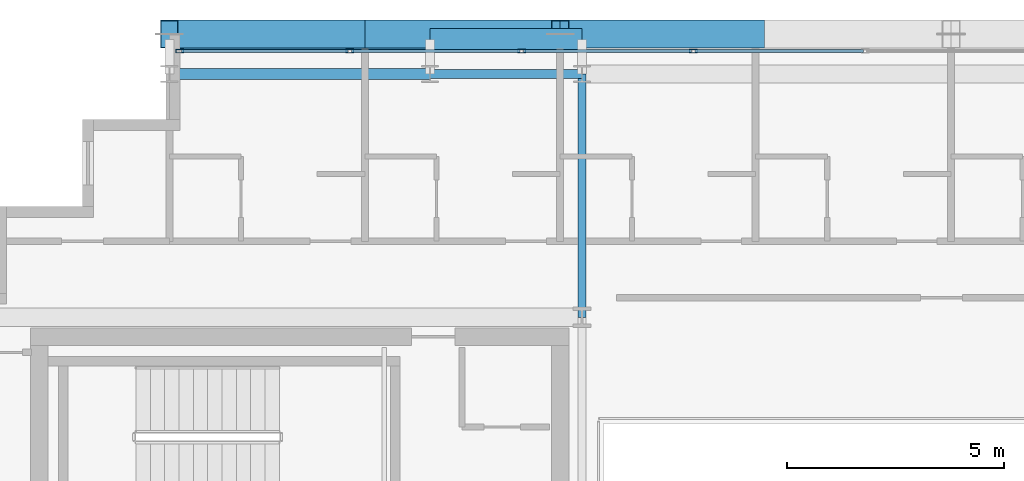
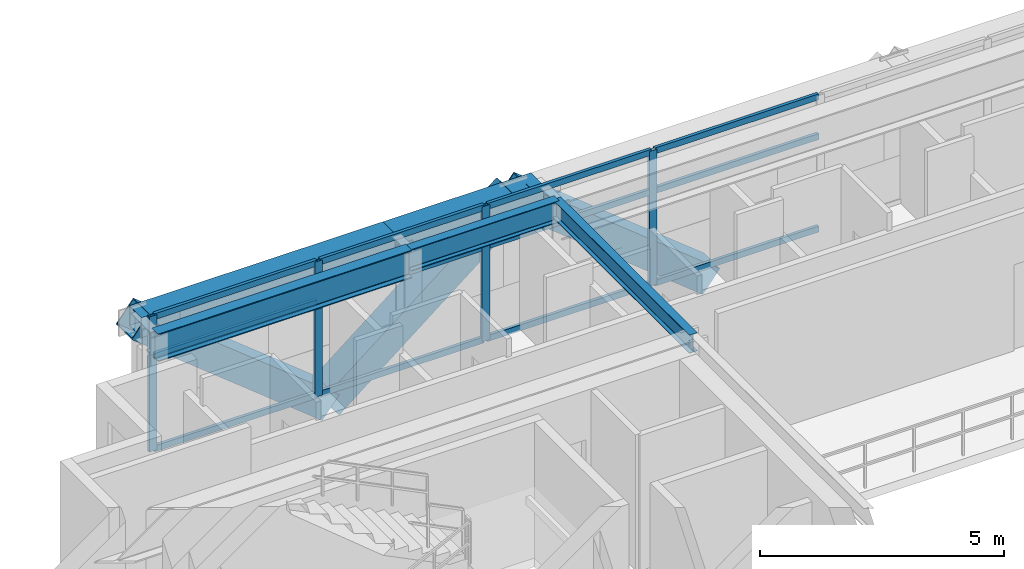
# One storey, part 13 of 28: 19 members, 5 beams, 1 element without a shape of its own.
"""IFC4 building model written with IfcOpenShell, lengths in metres."""

from ifc_helpers import new_model, si_unit, direction, frame, origin, origin_2d, place, context, subcontext, project, spatial, hollow_rectangle, i_section, extrude, source, transform, mapped, material, layer, layer_set, material_profile, profile_set, type_object, element, aggregate, save


model = new_model("IFC4")

# Units and contexts
model_context = context("Model", 3, precision=1e-05, world=origin(), true_north=direction((0.0, 1.0)))
body_context = subcontext(model_context, "Body", "Model", "MODEL_VIEW")
ifc_project = project(units=[si_unit("LENGTHUNIT", "METRE"), si_unit("AREAUNIT", "SQUARE_METRE"), si_unit("VOLUMEUNIT", "CUBIC_METRE"), si_unit("PLANEANGLEUNIT", "RADIAN"), si_unit("MASSUNIT", "GRAM", prefix="KILO")], contexts=[model_context])

# Site, building, storey
site_placement = place(None, origin())
site = spatial("IfcSite", under=ifc_project, at=site_placement, CompositionType="ELEMENT")
building_placement = place(site_placement, origin())
building = spatial("IfcBuilding", under=site, at=building_placement, Name="Ocotamira Hotel", CompositionType="ELEMENT")
storey_placement = place(building_placement, frame((0.0, 0.0, 240.0)))
storey = spatial("IfcBuildingStorey", under=building, at=storey_placement, Name="L60", CompositionType="ELEMENT", Elevation=240.0)

# Beams
ifc_material_1 = material(Name="Steel ASTM A992 Grade 50", Category="steel")
ifc_material_profile_1 = material_profile(ifc_material_1, i_section(OverallWidth=0.256103515625, OverallDepth=0.693115234375, WebThickness=0.014404296875, FlangeThickness=0.023681640625, FilletRadius=0.01611328125, at=origin_2d()), Name="W27X114")
ifc_profile_set_1 = profile_set([ifc_material_profile_1], Name="Steel ASTM A992 Grade 50")
beam_type_1 = type_object("IfcBeamType", Name="BM-PRIM-W27X114", PredefinedType="BEAM", material=ifc_profile_set_1)
shared_shape_1 = source(origin(), body_context, "Body", "SweptSolid", [
    extrude(i_section(OverallWidth=0.256103515625, OverallDepth=0.693115234375, WebThickness=0.014404296875, FlangeThickness=0.023681640625, FilletRadius=0.01611328125, at=origin_2d()), origin(), (0.0, 0.0, 1.0), 6.0),
])
beam_1_placement = place(storey_placement, frame((14.0, 43.050048828125, 3.033447265625), z_axis=(1.0, 0.0, 0.0), x_axis=(0.0, 1.0, 0.0)))
element("IfcBeam", 1, at=beam_1_placement, inside=storey, type_object=beam_type_1, Name="L60 Girder Y43.05 X14-20", PredefinedType="BEAM", context=body_context, shape_type="MappedRepresentation", body=[
    mapped(shared_shape_1, transform((0.0, 0.0, 0.0), scale=1.0)),
])
ifc_material_profile_2 = material_profile(ifc_material_1, i_section(OverallWidth=0.2099609375, OverallDepth=0.537109375, WebThickness=0.010986328125, FlangeThickness=0.017333984375, FilletRadius=0.012939453125, at=origin_2d()), Name="W21X68")
ifc_profile_set_2 = profile_set([ifc_material_profile_2], Name="Steel ASTM A992 Grade 50")
beam_type_2 = type_object("IfcBeamType", Name="BM-SEC-W21X68", PredefinedType="JOIST", material=ifc_profile_set_2)
shared_shape_2 = source(origin(), body_context, "Body", "SweptSolid", [
    extrude(i_section(OverallWidth=0.2099609375, OverallDepth=0.537109375, WebThickness=0.010986328125, FlangeThickness=0.017333984375, FilletRadius=0.012939453125, at=origin_2d()), origin(), (0.0, 0.0, 1.0), 3.5),
])
beam_2_placement = place(storey_placement, frame((20.0, 43.050048828125, 3.111572265625), z_axis=(1.0, 0.0, 0.0), x_axis=(0.0, 1.0, 0.0)))
element("IfcBeam", 2, at=beam_2_placement, inside=storey, type_object=beam_type_2, Name="L60 Girder Y43.05 X20-23.5", PredefinedType="JOIST", context=body_context, shape_type="MappedRepresentation", body=[
    mapped(shared_shape_2, transform((0.0, 0.0, 0.0), scale=1.0)),
])
ifc_material_2 = material(Name="Steel ASTM A500 Grade C", Category="steel")
ifc_material_profile_3 = material_profile(ifc_material_2, hollow_rectangle(XDim=0.5, YDim=0.5, WallThickness=0.02001953125, at=origin_2d()), Name="HSS500X500X20")
ifc_profile_set_3 = profile_set([ifc_material_profile_3], Name="Steel ASTM A500 Grade C")
beam_type_3 = type_object("IfcBeamType", Name="BM-SPAN-HSS500", PredefinedType="USERDEFINED", material=ifc_profile_set_3)
shared_shape_3 = source(origin(), body_context, "Body", "SweptSolid", [
    extrude(hollow_rectangle(XDim=0.5, YDim=0.5, WallThickness=0.02001953125, at=origin_2d()), origin(), (0.0, 0.0, 1.0), 6.0),
])
beam_3_placement = place(storey_placement, frame((14.0, 43.85009765625, 3.1298828125), z_axis=(1.0, 0.0, 0.0), x_axis=(0.0, 1.0, 0.0)))
element("IfcBeam", 3, at=beam_3_placement, inside=storey, type_object=beam_type_3, Name="L60 Edge Spandrel N X14-20", ObjectType="SPANDREL", PredefinedType="USERDEFINED", context=body_context, shape_type="MappedRepresentation", body=[
    mapped(shared_shape_3, transform((0.0, 0.0, 0.0), scale=1.0)),
])
shared_shape_4 = source(origin(), body_context, "Body", "SweptSolid", [
    extrude(hollow_rectangle(XDim=0.5, YDim=0.5, WallThickness=0.02001953125, at=origin_2d()), origin(), (0.0, 0.0, 1.0), 3.5),
])
beam_4_placement = place(storey_placement, frame((20.0, 43.85009765625, 3.1298828125), z_axis=(1.0, 0.0, 0.0), x_axis=(0.0, 1.0, 0.0)))
element("IfcBeam", 4, at=beam_4_placement, inside=storey, type_object=beam_type_3, Name="L60 Edge Spandrel N X20-23.5", ObjectType="SPANDREL", PredefinedType="USERDEFINED", context=body_context, shape_type="MappedRepresentation", body=[
    mapped(shared_shape_4, transform((0.0, 0.0, 0.0), scale=1.0)),
])
ifc_material_profile_4 = material_profile(ifc_material_1, i_section(OverallWidth=0.18994140625, OverallDepth=0.45703125, WebThickness=0.009033203125, FlangeThickness=0.014404296875, FilletRadius=0.010009765625, at=origin_2d()), Name="W18X50")
ifc_profile_set_4 = profile_set([ifc_material_profile_4], Name="Steel ASTM A992 Grade 50")
beam_type_4 = type_object("IfcBeamType", Name="BM-SEC-W18X50", PredefinedType="JOIST", material=ifc_profile_set_4)
shared_shape_5 = source(origin(), body_context, "Body", "SweptSolid", [
    extrude(i_section(OverallWidth=0.18994140625, OverallDepth=0.45703125, WebThickness=0.009033203125, FlangeThickness=0.014404296875, FilletRadius=0.010009765625, at=origin_2d()), origin(), (0.0, 0.0, 1.0), 5.60009765625),
])
beam_5_placement = place(storey_placement, frame((23.5, 37.449951171875, 3.151611328125), z_axis=(0.0, 1.0, 0.0), x_axis=(-1.0, 0.0, 0.0)))
element("IfcBeam", 5, at=beam_5_placement, inside=storey, type_object=beam_type_4, Name="L60 Beam X23.5 Y37.45-43.05", PredefinedType="JOIST", context=body_context, shape_type="MappedRepresentation", body=[
    mapped(shared_shape_5, transform((0.0, 0.0, 0.0), scale=1.0)),
])

# Members
ifc_material_3 = material(Name="Pale-metal coated steel ASTM A913 Grade 65", Category="steel")
ifc_material_profile_5 = material_profile(ifc_material_3, hollow_rectangle(XDim=0.64990234375, YDim=0.64990234375, WallThickness=0.02197265625, at=origin_2d()), Name="BOX650X650X22")
ifc_profile_set_5 = profile_set([ifc_material_profile_5], Name="Pale-metal coated steel ASTM A913 Grade 65")
member_type_1 = type_object("IfcMemberType", Name="MEM-EXO-BOX650", PredefinedType="BRACE", material=ifc_profile_set_5)
shared_shape_6 = source(origin(), body_context, "Body", "SweptSolid", [
    extrude(hollow_rectangle(XDim=0.64990234375, YDim=0.64990234375, WallThickness=0.02197265625, at=origin_2d()), origin(), (0.0, 0.0, 1.0), 5.7626953125),
])
for number, where, z_axis, x_axis, name in (
    (6, (18.5, 43.969970703125, -0.469970703125), (-0.780881208953, 0.0, 0.624679547852), (0.0, -1.0, 0.0), "L60 Exoskeleton Diagrid N0.1"),
    (7, (18.5, 43.969970703125, -0.469970703125), (0.780881208953, 0.0, 0.624679547852), (0.0, 1.0, 0.0), "L60 Exoskeleton Diagrid N0.2"),
    (8, (27.5, 43.969970703125, -0.469970703125), (-0.780881208953, 0.0, 0.624679547852), (0.0, -1.0, 0.0), "L60 Exoskeleton Diagrid N1.1"),
):
    element("IfcMember", number, at=place(storey_placement, frame(where, z_axis=z_axis, x_axis=x_axis)), inside=storey, type_object=member_type_1, Name=name, PredefinedType="BRACE", context=body_context, shape_type="MappedRepresentation", body=[
        mapped(shared_shape_6, transform((0.0, 0.0, 0.0), scale=1.0)),
    ])

# Curtain wall, members
ifc_material_4 = material(Name="Anodised pale-metal aluminium and solar glass", Category="aluminium")
ifc_layer = layer(ifc_material_4, 0.239990234375)
ifc_layer_set = layer_set([ifc_layer], Name="Anodised pale-metal aluminium and solar glass")
curtain_wall_type = type_object("IfcCurtainWallType", Name="CW-SYS5-SKY", PredefinedType="NOTDEFINED", material=ifc_layer_set)
curtain_wall_placement = place(storey_placement, origin())
curtain_wall = element("IfcCurtainWall", 9, at=curtain_wall_placement, inside=storey, type_object=curtain_wall_type, Name="L60 Curtain Wall CW-5 CW-L60-N", PredefinedType="NOTDEFINED")
ifc_material_5 = material(Name="Anodised pale-metal aluminium 6063-T6", Category="aluminium")
ifc_material_profile_6 = material_profile(ifc_material_5, hollow_rectangle(XDim=0.074951171875, YDim=0.14990234375, WallThickness=0.006103515625, at=origin_2d()), Name="HSS150X75X6")
ifc_profile_set_6 = profile_set([ifc_material_profile_6], Name="Anodised pale-metal aluminium 6063-T6")
member_type_2 = type_object("IfcMemberType", Name="CWT-150X75", PredefinedType="USERDEFINED", material=ifc_profile_set_6)
shared_shape_7 = source(origin(), body_context, "Body", "SweptSolid", [
    extrude(hollow_rectangle(XDim=0.074951171875, YDim=0.14990234375, WallThickness=0.006103515625, at=origin_2d()), origin(), (0.0, 0.0, 1.0), 3.83544921875),
])
member_1_placement = place(storey_placement, frame((14.280029296875, 43.580078125, 0.03759765625), z_axis=(1.0, 0.0, 0.0), x_axis=(0.0, 1.0, 0.0)))
member_1 = element("IfcMember", 10, at=member_1_placement, type_object=member_type_2, Name="CW-5 transom 1.1", ObjectType="TRANSOM", PredefinedType="USERDEFINED", context=body_context, shape_type="MappedRepresentation", body=[
    mapped(shared_shape_7, transform((0.0, 0.0, 0.0), scale=1.0)),
])
member_2_placement = place(storey_placement, frame((14.280029296875, 43.580078125, 2.35009765625), z_axis=(1.0, 0.0, 0.0), x_axis=(0.0, 1.0, 0.0)))
member_2 = element("IfcMember", 11, at=member_2_placement, type_object=member_type_2, Name="CW-5 transom 1.2", ObjectType="TRANSOM", PredefinedType="USERDEFINED", context=body_context, shape_type="MappedRepresentation", body=[
    mapped(shared_shape_7, transform((0.0, 0.0, 0.0), scale=1.0)),
])
member_3_placement = place(storey_placement, frame((14.280029296875, 43.580078125, 3.342529296875), z_axis=(1.0, 0.0, 0.0), x_axis=(0.0, 1.0, 0.0)))
member_3 = element("IfcMember", 12, at=member_3_placement, type_object=member_type_2, Name="CW-5 transom 1.3", ObjectType="TRANSOM", PredefinedType="USERDEFINED", context=body_context, shape_type="MappedRepresentation", body=[
    mapped(shared_shape_7, transform((0.0, 0.0, 0.0), scale=1.0)),
])
shared_shape_8 = source(origin(), body_context, "Body", "SweptSolid", [
    extrude(hollow_rectangle(XDim=0.074951171875, YDim=0.14990234375, WallThickness=0.006103515625, at=origin_2d()), origin(), (0.0, 0.0, 1.0), 3.87548828125),
])
member_4_placement = place(storey_placement, frame((18.195556640625, 43.580078125, 0.03759765625), z_axis=(1.0, 0.0, 0.0), x_axis=(0.0, 1.0, 0.0)))
member_4 = element("IfcMember", 13, at=member_4_placement, type_object=member_type_2, Name="CW-5 transom 2.1", ObjectType="TRANSOM", PredefinedType="USERDEFINED", context=body_context, shape_type="MappedRepresentation", body=[
    mapped(shared_shape_8, transform((0.0, 0.0, 0.0), scale=1.0)),
])
member_5_placement = place(storey_placement, frame((18.195556640625, 43.580078125, 2.35009765625), z_axis=(1.0, 0.0, 0.0), x_axis=(0.0, 1.0, 0.0)))
member_5 = element("IfcMember", 14, at=member_5_placement, type_object=member_type_2, Name="CW-5 transom 2.2", ObjectType="TRANSOM", PredefinedType="USERDEFINED", context=body_context, shape_type="MappedRepresentation", body=[
    mapped(shared_shape_8, transform((0.0, 0.0, 0.0), scale=1.0)),
])
member_6_placement = place(storey_placement, frame((18.195556640625, 43.580078125, 3.342529296875), z_axis=(1.0, 0.0, 0.0), x_axis=(0.0, 1.0, 0.0)))
member_6 = element("IfcMember", 15, at=member_6_placement, type_object=member_type_2, Name="CW-5 transom 2.3", ObjectType="TRANSOM", PredefinedType="USERDEFINED", context=body_context, shape_type="MappedRepresentation", body=[
    mapped(shared_shape_8, transform((0.0, 0.0, 0.0), scale=1.0)),
])
member_7_placement = place(storey_placement, frame((22.151123046875, 43.580078125, 0.03759765625), z_axis=(1.0, 0.0, 0.0), x_axis=(0.0, 1.0, 0.0)))
member_7 = element("IfcMember", 16, at=member_7_placement, type_object=member_type_2, Name="CW-5 transom 3.1", ObjectType="TRANSOM", PredefinedType="USERDEFINED", context=body_context, shape_type="MappedRepresentation", body=[
    mapped(shared_shape_8, transform((0.0, 0.0, 0.0), scale=1.0)),
])
member_8_placement = place(storey_placement, frame((22.151123046875, 43.580078125, 2.35009765625), z_axis=(1.0, 0.0, 0.0), x_axis=(0.0, 1.0, 0.0)))
member_8 = element("IfcMember", 17, at=member_8_placement, type_object=member_type_2, Name="CW-5 transom 3.2", ObjectType="TRANSOM", PredefinedType="USERDEFINED", context=body_context, shape_type="MappedRepresentation", body=[
    mapped(shared_shape_8, transform((0.0, 0.0, 0.0), scale=1.0)),
])
member_9_placement = place(storey_placement, frame((22.151123046875, 43.580078125, 3.342529296875), z_axis=(1.0, 0.0, 0.0), x_axis=(0.0, 1.0, 0.0)))
member_9 = element("IfcMember", 18, at=member_9_placement, type_object=member_type_2, Name="CW-5 transom 3.3", ObjectType="TRANSOM", PredefinedType="USERDEFINED", context=body_context, shape_type="MappedRepresentation", body=[
    mapped(shared_shape_8, transform((0.0, 0.0, 0.0), scale=1.0)),
])
member_10_placement = place(storey_placement, frame((26.106689453125, 43.580078125, 0.03759765625), z_axis=(1.0, 0.0, 0.0), x_axis=(0.0, 1.0, 0.0)))
member_10 = element("IfcMember", 19, at=member_10_placement, type_object=member_type_2, Name="CW-5 transom 4.1", ObjectType="TRANSOM", PredefinedType="USERDEFINED", context=body_context, shape_type="MappedRepresentation", body=[
    mapped(shared_shape_8, transform((0.0, 0.0, 0.0), scale=1.0)),
])
member_11_placement = place(storey_placement, frame((26.106689453125, 43.580078125, 2.35009765625), z_axis=(1.0, 0.0, 0.0), x_axis=(0.0, 1.0, 0.0)))
member_11 = element("IfcMember", 20, at=member_11_placement, type_object=member_type_2, Name="CW-5 transom 4.2", ObjectType="TRANSOM", PredefinedType="USERDEFINED", context=body_context, shape_type="MappedRepresentation", body=[
    mapped(shared_shape_8, transform((0.0, 0.0, 0.0), scale=1.0)),
])
member_12_placement = place(storey_placement, frame((26.106689453125, 43.580078125, 3.342529296875), z_axis=(1.0, 0.0, 0.0), x_axis=(0.0, 1.0, 0.0)))
member_12 = element("IfcMember", 21, at=member_12_placement, type_object=member_type_2, Name="CW-5 transom 4.3", ObjectType="TRANSOM", PredefinedType="USERDEFINED", context=body_context, shape_type="MappedRepresentation", body=[
    mapped(shared_shape_8, transform((0.0, 0.0, 0.0), scale=1.0)),
])
ifc_material_profile_7 = material_profile(ifc_material_5, hollow_rectangle(XDim=0.080078125, YDim=0.179931640625, WallThickness=0.006103515625, at=origin_2d()), Name="HSS180X80X6")
ifc_profile_set_7 = profile_set([ifc_material_profile_7], Name="Anodised pale-metal aluminium 6063-T6")
member_type_3 = type_object("IfcMemberType", Name="CWM-180X75", PredefinedType="MULLION", material=ifc_profile_set_7)
shared_shape_9 = source(origin(), body_context, "Body", "SweptSolid", [
    extrude(hollow_rectangle(XDim=0.080078125, YDim=0.179931640625, WallThickness=0.006103515625, at=origin_2d()), origin(), (0.0, 0.0, 1.0), 3.3798828125),
])
member_13_placement = place(storey_placement, frame((14.239990234375, 43.580078125, 0.0), z_axis=(0.0, 0.0, 1.0), x_axis=(0.0, 1.0, 0.0)))
member_13 = element("IfcMember", 22, at=member_13_placement, type_object=member_type_3, Name="CW-5 mullion 1", PredefinedType="MULLION", context=body_context, shape_type="MappedRepresentation", body=[
    mapped(shared_shape_9, transform((0.0, 0.0, 0.0), scale=1.0)),
])
member_14_placement = place(storey_placement, frame((18.155517578125, 43.580078125, 0.0), z_axis=(0.0, 0.0, 1.0), x_axis=(0.0, 1.0, 0.0)))
member_14 = element("IfcMember", 23, at=member_14_placement, type_object=member_type_3, Name="CW-5 mullion 2", PredefinedType="MULLION", context=body_context, shape_type="MappedRepresentation", body=[
    mapped(shared_shape_9, transform((0.0, 0.0, 0.0), scale=1.0)),
])
member_15_placement = place(storey_placement, frame((22.111083984375, 43.580078125, 0.0), z_axis=(0.0, 0.0, 1.0), x_axis=(0.0, 1.0, 0.0)))
member_15 = element("IfcMember", 24, at=member_15_placement, type_object=member_type_3, Name="CW-5 mullion 3", PredefinedType="MULLION", context=body_context, shape_type="MappedRepresentation", body=[
    mapped(shared_shape_9, transform((0.0, 0.0, 0.0), scale=1.0)),
])
member_16_placement = place(storey_placement, frame((26.066650390625, 43.580078125, 0.0), z_axis=(0.0, 0.0, 1.0), x_axis=(0.0, 1.0, 0.0)))
member_16 = element("IfcMember", 25, at=member_16_placement, type_object=member_type_3, Name="CW-5 mullion 4", PredefinedType="MULLION", context=body_context, shape_type="MappedRepresentation", body=[
    mapped(shared_shape_9, transform((0.0, 0.0, 0.0), scale=1.0)),
])
aggregate(curtain_wall, [member_13, member_14, member_15, member_16, member_1, member_2, member_3, member_4, member_5, member_6, member_7, member_8, member_9, member_10, member_11, member_12])

save(model, "model.ifc")
